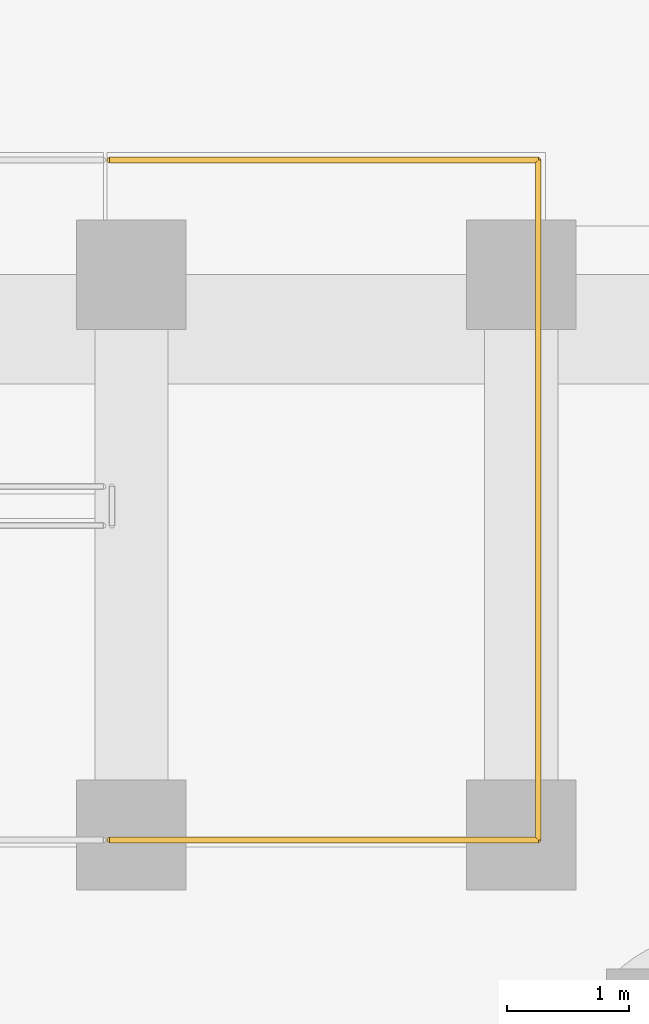
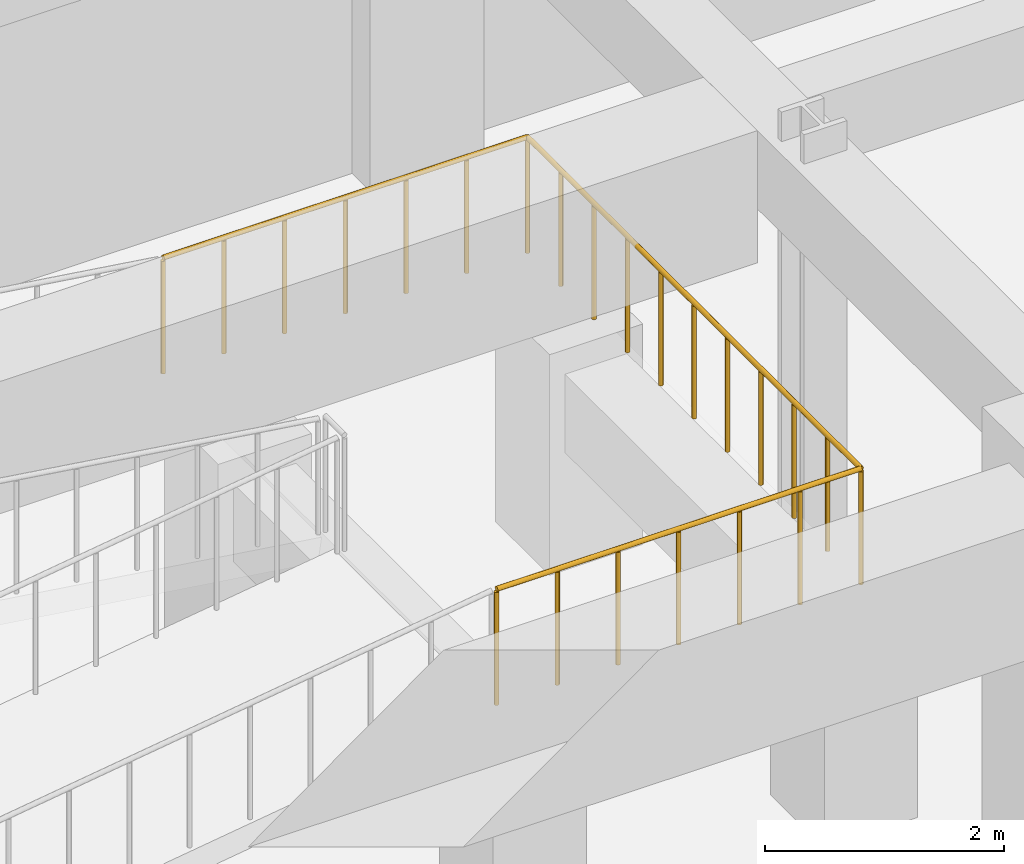
# One storey, part 15 of 17: 1 railing.
"""IFC4 building model written with IfcOpenShell, lengths in metres."""

from ifc_helpers import new_model, si_unit, direction, frame, origin, origin_2d, place, context, subcontext, project, spatial, circle, extrude, material, type_object, element, save


model = new_model("IFC4")

# Units and contexts
model_context = context("Model", 3, precision=1e-05, world=origin(), true_north=direction((0.0, 1.0)))
body_context = subcontext(model_context, "Body", "Model", "MODEL_VIEW")
ifc_project = project(units=[si_unit("LENGTHUNIT", "METRE"), si_unit("AREAUNIT", "SQUARE_METRE"), si_unit("VOLUMEUNIT", "CUBIC_METRE"), si_unit("PLANEANGLEUNIT", "RADIAN"), si_unit("MASSUNIT", "GRAM", prefix="KILO")], contexts=[model_context])

# Site, building, storey
site_placement = place(None, origin())
site = spatial("IfcSite", under=ifc_project, at=site_placement, CompositionType="ELEMENT")
building_placement = place(site_placement, origin())
building = spatial("IfcBuilding", under=site, at=building_placement, Name="Kovane Verandah Tower", CompositionType="ELEMENT")
storey_placement = place(building_placement, frame((0.0, 0.0, -9.0)))
storey = spatial("IfcBuildingStorey", under=building, at=storey_placement, Name="B2", CompositionType="ELEMENT", Elevation=-9.0)

# Railing
ifc_material = material(Name="Pale-Champagne Stainless Steel and Glass Perimeter Guard", Category="steel")
railing_type = type_object("IfcRailingType", Name="RL-GDN-1200", PredefinedType="GUARDRAIL", material=ifc_material)
railing_placement = place(storey_placement, frame((46.02001953125, 46.159912109375, 2.25)))
element("IfcRailing", 1, at=railing_placement, inside=storey, type_object=railing_type, Name="B2 Vehicle Ramp Half-Turn Landing Guard", PredefinedType="GUARDRAIL", context=body_context, shape_type="SweptSolid", body=[
    extrude(circle(Radius=0.02392578125, at=origin_2d()), frame((0.0, 0.0, 1.17578125), z_axis=(1.0, 0.0, 0.0), x_axis=(0.0, 1.0, 0.0)), (0.0, 0.0, 1.0), 3.52001953125),
    extrude(circle(Radius=0.02392578125, at=origin_2d()), frame((3.52001953125, 0.0, 1.17578125), z_axis=(0.0, 1.0, 0.0), x_axis=(-1.0, 0.0, 0.0)), (0.0, 0.0, 1.0), 5.580078125),
    extrude(circle(Radius=0.02392578125, at=origin_2d()), frame((3.52001953125, 5.580078125, 1.17578125), z_axis=(-1.0, 0.0, 0.0), x_axis=(0.0, -1.0, 0.0)), (0.0, 0.0, 1.0), 3.52001953125),
    extrude(circle(Radius=0.02099609375, at=origin_2d()), origin(), (0.0, 0.0, 1.0), 1.15185546875),
    extrude(circle(Radius=0.02099609375, at=origin_2d()), frame((0.586669921875, 0.0, 0.0)), (0.0, 0.0, 1.0), 1.15185546875),
    extrude(circle(Radius=0.02099609375, at=origin_2d()), frame((1.17333984375, 0.0, 0.0)), (0.0, 0.0, 1.0), 1.15185546875),
    extrude(circle(Radius=0.02099609375, at=origin_2d()), frame((1.760009765625, 0.0, 0.0)), (0.0, 0.0, 1.0), 1.15185546875),
    extrude(circle(Radius=0.02099609375, at=origin_2d()), frame((2.3466796875, 0.0, 0.0)), (0.0, 0.0, 1.0), 1.15185546875),
    extrude(circle(Radius=0.02099609375, at=origin_2d()), frame((2.933349609375, 0.0, 0.0)), (0.0, 0.0, 1.0), 1.15185546875),
    extrude(circle(Radius=0.02099609375, at=origin_2d()), frame((3.52001953125, 0.0, 0.0)), (0.0, 0.0, 1.0), 1.15185546875),
    extrude(circle(Radius=0.02099609375, at=origin_2d()), frame((3.52001953125, 0.55810546875, 0.0)), (0.0, 0.0, 1.0), 1.15185546875),
    extrude(circle(Radius=0.02099609375, at=origin_2d()), frame((3.52001953125, 1.115966796875, 0.0)), (0.0, 0.0, 1.0), 1.15185546875),
    extrude(circle(Radius=0.02099609375, at=origin_2d()), frame((3.52001953125, 1.674072265625, 0.0)), (0.0, 0.0, 1.0), 1.15185546875),
    extrude(circle(Radius=0.02099609375, at=origin_2d()), frame((3.52001953125, 2.23193359375, 0.0)), (0.0, 0.0, 1.0), 1.15185546875),
    extrude(circle(Radius=0.02099609375, at=origin_2d()), frame((3.52001953125, 2.7900390625, 0.0)), (0.0, 0.0, 1.0), 1.15185546875),
    extrude(circle(Radius=0.02099609375, at=origin_2d()), frame((3.52001953125, 3.34814453125, 0.0)), (0.0, 0.0, 1.0), 1.15185546875),
    extrude(circle(Radius=0.02099609375, at=origin_2d()), frame((3.52001953125, 3.906005859375, 0.0)), (0.0, 0.0, 1.0), 1.15185546875),
    extrude(circle(Radius=0.02099609375, at=origin_2d()), frame((3.52001953125, 4.464111328125, 0.0)), (0.0, 0.0, 1.0), 1.15185546875),
    extrude(circle(Radius=0.02099609375, at=origin_2d()), frame((3.52001953125, 5.02197265625, 0.0)), (0.0, 0.0, 1.0), 1.15185546875),
    extrude(circle(Radius=0.02099609375, at=origin_2d()), frame((3.52001953125, 5.580078125, 0.0)), (0.0, 0.0, 1.0), 1.15185546875),
    extrude(circle(Radius=0.02099609375, at=origin_2d()), frame((2.933349609375, 5.580078125, 0.0)), (0.0, 0.0, 1.0), 1.15185546875),
    extrude(circle(Radius=0.02099609375, at=origin_2d()), frame((2.3466796875, 5.580078125, 0.0)), (0.0, 0.0, 1.0), 1.15185546875),
    extrude(circle(Radius=0.02099609375, at=origin_2d()), frame((1.760009765625, 5.580078125, 0.0)), (0.0, 0.0, 1.0), 1.15185546875),
    extrude(circle(Radius=0.02099609375, at=origin_2d()), frame((1.17333984375, 5.580078125, 0.0)), (0.0, 0.0, 1.0), 1.15185546875),
    extrude(circle(Radius=0.02099609375, at=origin_2d()), frame((0.586669921875, 5.580078125, 0.0)), (0.0, 0.0, 1.0), 1.15185546875),
    extrude(circle(Radius=0.02099609375, at=origin_2d()), frame((0.0, 5.580078125, 0.0)), (0.0, 0.0, 1.0), 1.15185546875),
])

save(model, "model.ifc")
